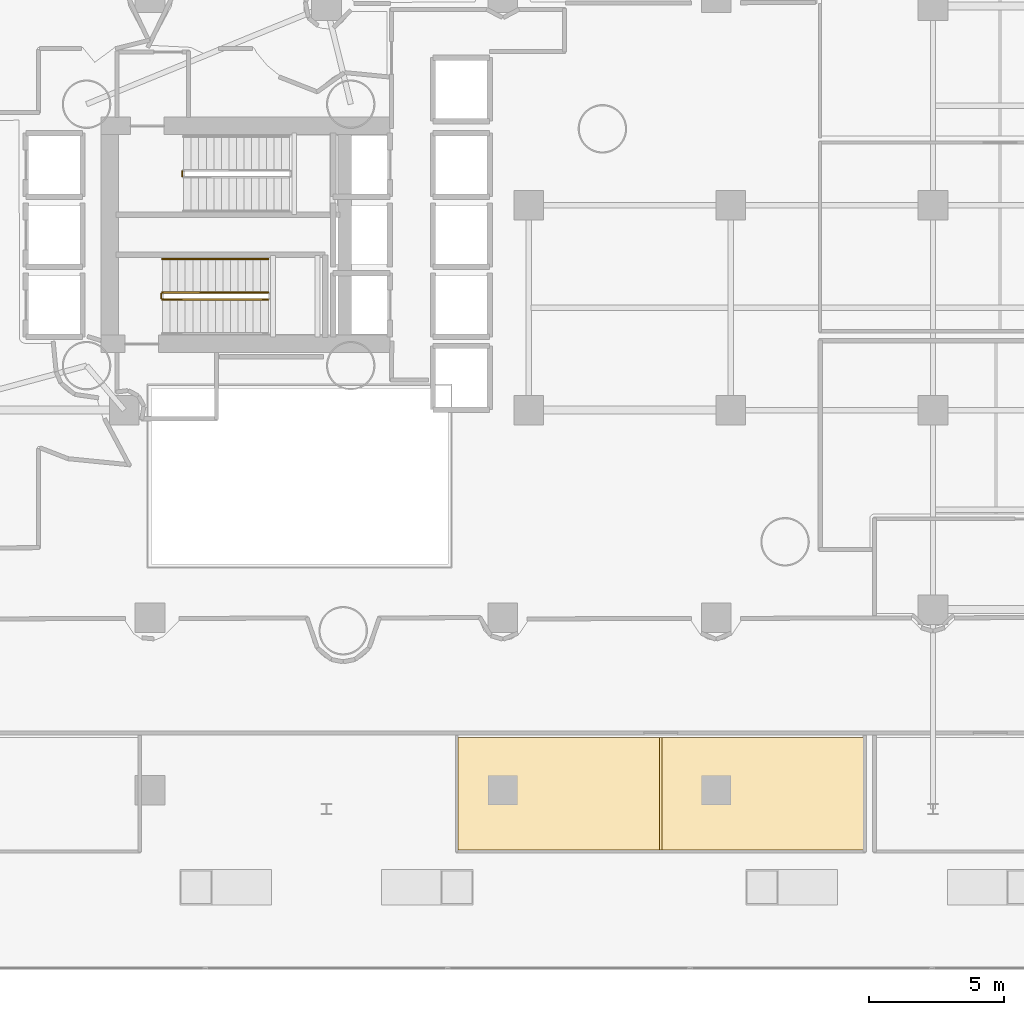
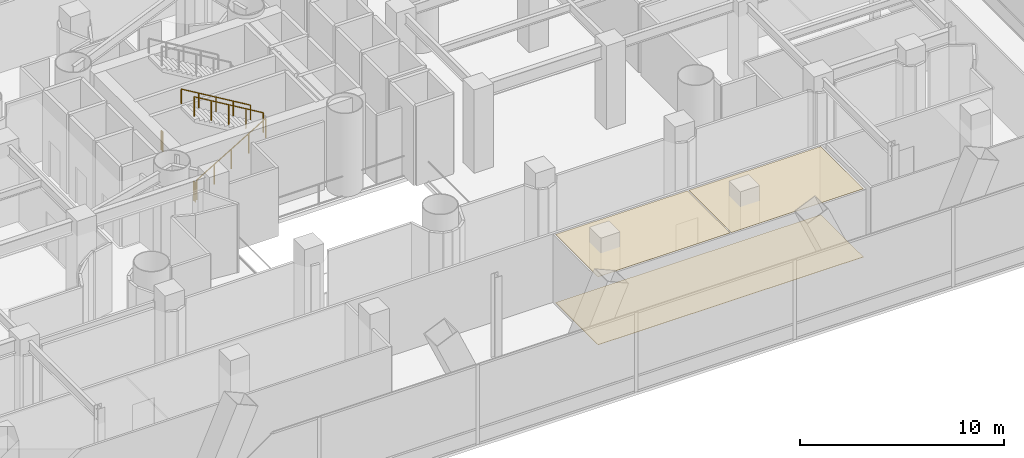
# One storey, part 37 of 42: 5 railings, 3 coverings.
"""IFC4 building model written with IfcOpenShell, lengths in metres."""

from ifc_helpers import new_model, si_unit, direction, frame, origin, origin_2d, place, context, subcontext, project, spatial, polyline, rectangle, outline, extrude, material, layer, layer_set, type_object, element, save


model = new_model("IFC4")

# Units and contexts
model_context = context("Model", 3, precision=1e-05, world=origin(), true_north=direction((0.0, 1.0)))
body_context = subcontext(model_context, "Body", "Model", "MODEL_VIEW")
ifc_project = project(units=[si_unit("LENGTHUNIT", "METRE"), si_unit("AREAUNIT", "SQUARE_METRE"), si_unit("VOLUMEUNIT", "CUBIC_METRE"), si_unit("PLANEANGLEUNIT", "RADIAN"), si_unit("MASSUNIT", "GRAM", prefix="KILO")], contexts=[model_context])

# Site, building, storey
site_placement = place(None, origin())
site = spatial("IfcSite", under=ifc_project, at=site_placement, CompositionType="ELEMENT")
building_placement = place(site_placement, origin())
building = spatial("IfcBuilding", under=site, at=building_placement, Name="Qianvela Tower", CompositionType="ELEMENT")
storey_placement = place(building_placement, frame((0.0, 0.0, 6.0)))
storey = spatial("IfcBuildingStorey", under=building, at=storey_placement, Name="L01", CompositionType="ELEMENT", Elevation=6.0)

# Coverings
ifc_material_1 = material(Name="Perforated Mineral Acoustic Ceiling Tile")
ifc_layer_1 = layer(ifc_material_1, 0.02490234375)
ifc_layer_set_1 = layer_set([ifc_layer_1], Name="Perforated Mineral Acoustic Ceiling Tile")
covering_type_1 = type_object("IfcCoveringType", Name="COV-CEIL-ACOUSTIC-25", PredefinedType="CEILING", material=ifc_layer_set_1)
covering_1_placement = place(storey_placement, frame((0.0, 0.0, 4.074951171875)))
element("IfcCovering", 1, at=covering_1_placement, inside=storey, type_object=covering_type_1, Name="L01 Acoustic Ceiling Bay 1 L01 Student Canteen and Dining Hall", PredefinedType="CEILING", context=body_context, shape_type="SweptSolid", body=[
    extrude(outline(polyline([(42.3798828125, 5.8798828125), (42.3798828125, 10.05810546875), (49.860107421875, 10.05810546875), (49.860107421875, 5.8798828125), (42.3798828125, 5.8798828125)])), origin(), (0.0, 0.0, 1.0), 0.025146484375),
])
covering_2_placement = place(storey_placement, frame((0.0, 0.0, 4.074951171875)))
element("IfcCovering", 2, at=covering_2_placement, inside=storey, type_object=covering_type_1, Name="L01 Acoustic Ceiling Bay 2 L01 Student Canteen and Dining Hall", PredefinedType="CEILING", context=body_context, shape_type="SweptSolid", body=[
    extrude(outline(polyline([(49.93994140625, 5.8798828125), (49.93994140625, 10.05810546875), (57.419921875, 10.05810546875), (57.419921875, 5.8798828125), (49.93994140625, 5.8798828125)])), origin(), (0.0, 0.0, 1.0), 0.025146484375),
])
ifc_material_2 = material(Name="Engineered Acoustic Oak Timber Flooring", Category="wood")
ifc_layer_2 = layer(ifc_material_2, 0.02001953125)
ifc_layer_set_2 = layer_set([ifc_layer_2], Name="Engineered Acoustic Oak Timber Flooring")
covering_type_2 = type_object("IfcCoveringType", Name="COV-FLOOR-OAK-20", PredefinedType="FLOORING", material=ifc_layer_set_2)
covering_3_placement = place(storey_placement, origin())
element("IfcCovering", 3, at=covering_3_placement, inside=storey, type_object=covering_type_2, Name="L01 Finish Flooring L01 Student Canteen and Dining Hall", PredefinedType="FLOORING", context=body_context, shape_type="SweptSolid", body=[
    extrude(outline(polyline([(57.419921875, 5.8798828125), (42.3798828125, 5.8798828125), (42.3798828125, 10.05810546875), (57.419921875, 10.05810546875), (57.419921875, 5.8798828125)])), origin(), (0.0, 0.0, 1.0), 0.02001953125),
])

# Railings
ifc_material_3 = material(Name="Painted Tubular Steel Q355B", Category="steel")
railing_type_1 = type_object("IfcRailingType", Name="RL-STAIR-GUARD-1200", PredefinedType="GUARDRAIL", material=ifc_material_3)
railing_1_placement = place(storey_placement, frame((32.14990234375, 30.889892578125, 0.0)))
element("IfcRailing", 4, at=railing_1_placement, inside=storey, type_object=railing_type_1, Name="L01 ST-1 stair guard 4", PredefinedType="GUARDRAIL", context=body_context, shape_type="SweptSolid", body=[
    extrude(rectangle(XDim=0.050048828125, YDim=0.0400390625, at=origin_2d()), frame((0.0, 0.0, 1.179931640625), z_axis=(0.0, 1.0, 0.0), x_axis=(-1.0, 0.0, 0.0)), (0.0, 0.0, 1.0), 0.16015625),
    extrude(rectangle(XDim=0.050048828125, YDim=0.050048828125, at=origin_2d()), origin(), (0.0, 0.0, 1.0), 1.159912109375),
    extrude(rectangle(XDim=0.050048828125, YDim=0.050048828125, at=origin_2d()), frame((0.0, 0.16015625, 0.0)), (0.0, 0.0, 1.0), 1.159912109375),
])
railing_2_placement = place(storey_placement, frame((31.419921875, 26.300048828125, 0.166748046875)))
element("IfcRailing", 5, at=railing_2_placement, inside=storey, type_object=railing_type_1, Name="L01 ST-2 stair guard 1", PredefinedType="GUARDRAIL", context=body_context, shape_type="SweptSolid", body=[
    extrude(rectangle(XDim=0.050048828125, YDim=0.0400390625, at=origin_2d()), frame((0.0, 0.0, 1.179931640625), z_axis=(0.859310244771, 0.0, 0.511454693235), x_axis=(0.0, 1.0, 0.0)), (0.0, 0.0, 1.0), 4.56201171875),
    extrude(rectangle(XDim=0.050048828125, YDim=0.050048828125, at=origin_2d()), origin(), (0.0, 0.0, 1.0), 1.159912109375),
    extrude(rectangle(XDim=0.050048828125, YDim=0.050048828125, at=origin_2d()), frame((0.97998046875, 0.0, 0.583251953125)), (0.0, 0.0, 1.0), 1.159912109375),
    extrude(rectangle(XDim=0.050048828125, YDim=0.050048828125, at=origin_2d()), frame((1.9599609375, 0.0, 1.16650390625)), (0.0, 0.0, 1.0), 1.159912109375),
    extrude(rectangle(XDim=0.050048828125, YDim=0.050048828125, at=origin_2d()), frame((2.940185546875, 0.0, 1.75)), (0.0, 0.0, 1.0), 1.159912109375),
    extrude(rectangle(XDim=0.050048828125, YDim=0.050048828125, at=origin_2d()), frame((3.920166015625, 0.0, 2.333251953125)), (0.0, 0.0, 1.0), 1.159912109375),
])
railing_3_placement = place(storey_placement, frame((35.340087890625, 26.56005859375, 2.666748046875)))
element("IfcRailing", 6, at=railing_3_placement, inside=storey, type_object=railing_type_1, Name="L01 ST-2 stair guard 3", PredefinedType="GUARDRAIL", context=body_context, shape_type="SweptSolid", body=[
    extrude(rectangle(XDim=0.050048828125, YDim=0.0400390625, at=origin_2d()), frame((0.0, 0.0, 1.179931640625), z_axis=(-0.859310244771, 0.0, 0.511454693235), x_axis=(0.0, -1.0, 0.0)), (0.0, 0.0, 1.0), 4.56201171875),
    extrude(rectangle(XDim=0.050048828125, YDim=0.050048828125, at=origin_2d()), origin(), (0.0, 0.0, 1.0), 1.159912109375),
    extrude(rectangle(XDim=0.050048828125, YDim=0.050048828125, at=origin_2d()), frame((-0.97998046875, 0.0, 0.583251953125)), (0.0, 0.0, 1.0), 1.159912109375),
    extrude(rectangle(XDim=0.050048828125, YDim=0.050048828125, at=origin_2d()), frame((-1.9599609375, 0.0, 1.16650390625)), (0.0, 0.0, 1.0), 1.159912109375),
    extrude(rectangle(XDim=0.050048828125, YDim=0.050048828125, at=origin_2d()), frame((-2.940185546875, 0.0, 1.75)), (0.0, 0.0, 1.0), 1.159912109375),
    extrude(rectangle(XDim=0.050048828125, YDim=0.050048828125, at=origin_2d()), frame((-3.920166015625, 0.0, 2.333251953125)), (0.0, 0.0, 1.0), 1.159912109375),
])
railing_4_placement = place(storey_placement, frame((31.3701171875, 26.35009765625, 0.0)))
element("IfcRailing", 7, at=railing_4_placement, inside=storey, type_object=railing_type_1, Name="L01 ST-2 stair guard 4", PredefinedType="GUARDRAIL", context=body_context, shape_type="SweptSolid", body=[
    extrude(rectangle(XDim=0.050048828125, YDim=0.0400390625, at=origin_2d()), frame((0.0, 0.0, 1.179931640625), z_axis=(0.0, 1.0, 0.0), x_axis=(-1.0, 0.0, 0.0)), (0.0, 0.0, 1.0), 0.159912109375),
    extrude(rectangle(XDim=0.050048828125, YDim=0.050048828125, at=origin_2d()), origin(), (0.0, 0.0, 1.0), 1.159912109375),
    extrude(rectangle(XDim=0.050048828125, YDim=0.050048828125, at=origin_2d()), frame((0.0, 0.159912109375, 0.0)), (0.0, 0.0, 1.0), 1.159912109375),
])
ifc_material_4 = material(Name="Brushed Stainless Steel 304", Category="steel")
railing_type_2 = type_object("IfcRailingType", Name="RL-STAIR-HANDRAIL-900", PredefinedType="HANDRAIL", material=ifc_material_4)
railing_5_placement = place(storey_placement, frame((35.340087890625, 27.81005859375, 2.666748046875)))
element("IfcRailing", 8, at=railing_5_placement, inside=storey, type_object=railing_type_2, Name="L01 ST-2 stair handrail 2", PredefinedType="HANDRAIL", context=body_context, shape_type="SweptSolid", body=[
    extrude(rectangle(XDim=0.050048828125, YDim=0.0400390625, at=origin_2d()), frame((0.0, 0.0, 0.8798828125), z_axis=(-0.859310244771, 0.0, 0.511454693235), x_axis=(0.0, -1.0, 0.0)), (0.0, 0.0, 1.0), 4.56201171875),
    extrude(rectangle(XDim=0.050048828125, YDim=0.050048828125, at=origin_2d()), origin(), (0.0, 0.0, 1.0), 0.85986328125),
    extrude(rectangle(XDim=0.050048828125, YDim=0.050048828125, at=origin_2d()), frame((-0.97998046875, 0.0, 0.583251953125)), (0.0, 0.0, 1.0), 0.85986328125),
    extrude(rectangle(XDim=0.050048828125, YDim=0.050048828125, at=origin_2d()), frame((-1.9599609375, 0.0, 1.16650390625)), (0.0, 0.0, 1.0), 0.85986328125),
    extrude(rectangle(XDim=0.050048828125, YDim=0.050048828125, at=origin_2d()), frame((-2.940185546875, 0.0, 1.75)), (0.0, 0.0, 1.0), 0.85986328125),
    extrude(rectangle(XDim=0.050048828125, YDim=0.050048828125, at=origin_2d()), frame((-3.920166015625, 0.0, 2.333251953125)), (0.0, 0.0, 1.0), 0.85986328125),
])

save(model, "model.ifc")
